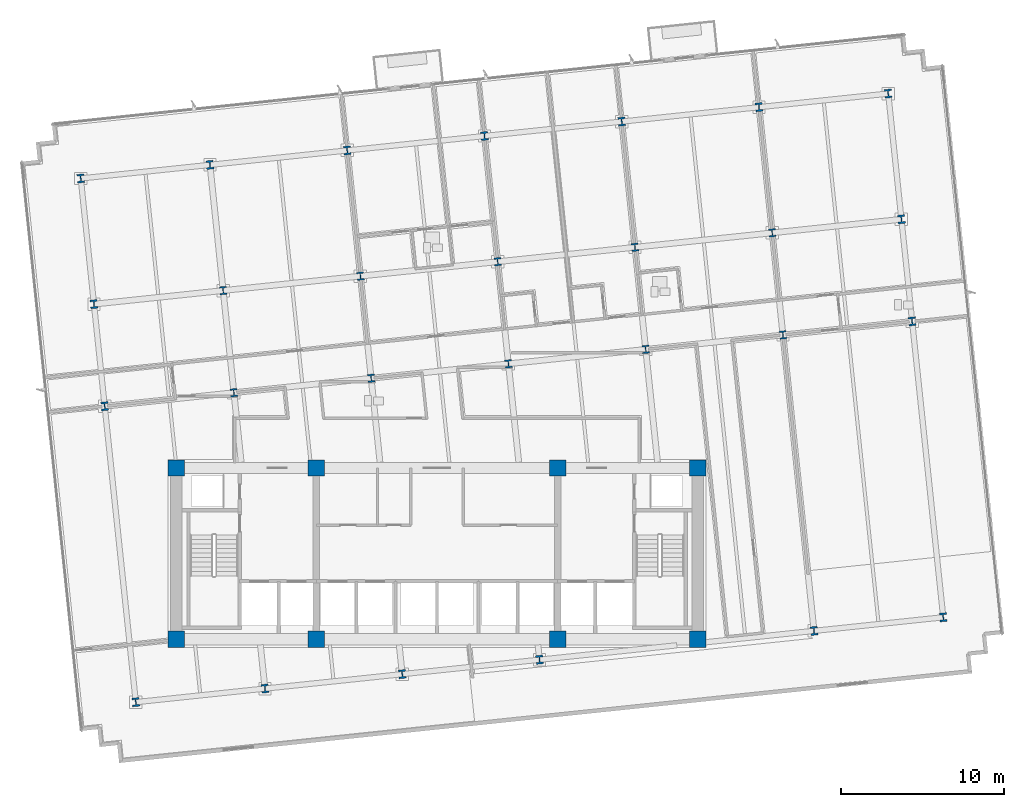
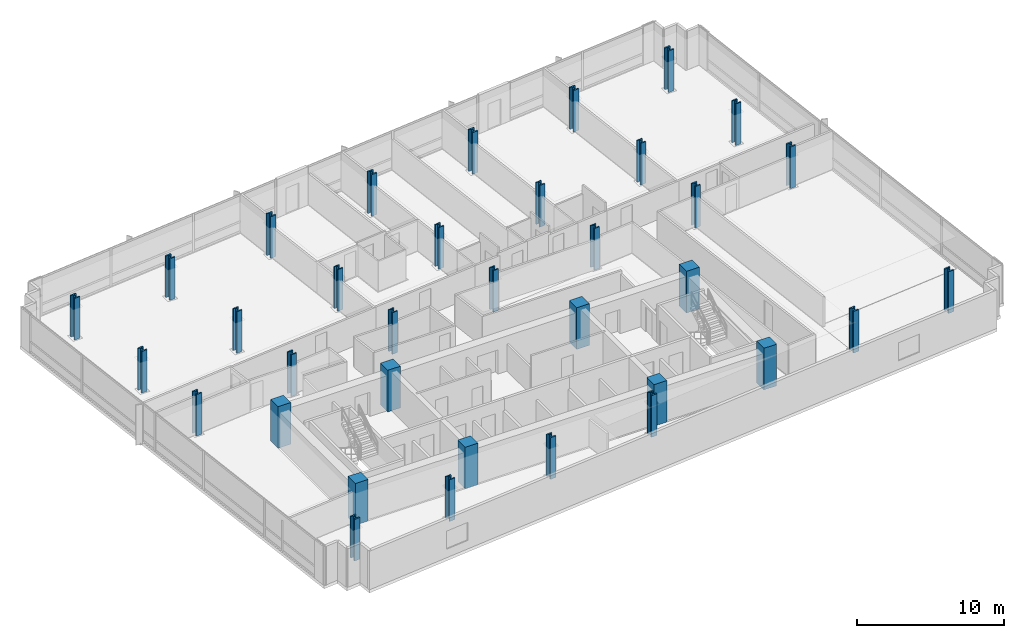
# One storey, part 1 of 17: 35 columns.
"""IFC4 building model written with IfcOpenShell, lengths in metres."""

from ifc_helpers import new_model, si_unit, direction, frame, origin, origin_2d, place, context, subcontext, project, spatial, rectangle, i_section, extrude, material, material_profile, profile_set, type_object, element, save


model = new_model("IFC4")

# Units and contexts
model_context = context("Model", 3, precision=1e-05, world=origin(), true_north=direction((0.0, 1.0)))
body_context = subcontext(model_context, "Body", "Model", "MODEL_VIEW")
ifc_project = project(units=[si_unit("LENGTHUNIT", "METRE"), si_unit("AREAUNIT", "SQUARE_METRE"), si_unit("VOLUMEUNIT", "CUBIC_METRE"), si_unit("PLANEANGLEUNIT", "RADIAN"), si_unit("MASSUNIT", "GRAM", prefix="KILO")], contexts=[model_context])

# Site, building, storey
site_placement = place(None, origin())
site = spatial("IfcSite", under=ifc_project, at=site_placement, CompositionType="ELEMENT")
building_placement = place(site_placement, origin())
building = spatial("IfcBuilding", under=site, at=building_placement, Name="Solmavex Isthmus Hotel", CompositionType="ELEMENT")
storey_placement = place(building_placement, frame((0.0, 0.0, 90.449951171875)))
storey = spatial("IfcBuildingStorey", under=building, at=storey_placement, Name="L24", CompositionType="ELEMENT", Elevation=90.449951171875)

# Columns
ifc_material_1 = material(Name="Concrete C60/75", Category="concrete")
ifc_material_profile_1 = material_profile(ifc_material_1, rectangle(XDim=1.0, YDim=1.0, at=origin_2d()), Name="RC1000X1000")
ifc_profile_set_1 = profile_set([ifc_material_profile_1], Name="Concrete C60/75")
column_type_1 = type_object("IfcColumnType", Name="COL-CC-1000", PredefinedType="COLUMN", material=ifc_profile_set_1)
for number, where, z_axis, x_axis, name in (
    (1, (-16.0, -13.0, 0.0), (0.0, 0.0, 1.0), (1.0, 0.0, 0.0), "Core Pilaster CC-SW L24"),
    (2, (-7.39990234375, -13.0, 0.0), (0.0, 0.0, 1.0), (1.0, 0.0, 0.0), "Core Pilaster CC-S1 L24"),
    (3, (7.39990234375, -13.0, 0.0), (0.0, 0.0, 1.0), (1.0, 0.0, 0.0), "Core Pilaster CC-S2 L24"),
    (4, (16.0, -13.0, 0.0), (0.0, 0.0, 1.0), (1.0, 0.0, 0.0), "Core Pilaster CC-SE L24"),
    (5, (-16.0, -2.5, 0.0), (0.0, 0.0, 1.0), (1.0, 0.0, 0.0), "Core Pilaster CC-NW L24"),
    (6, (-7.39990234375, -2.5, 0.0), (0.0, 0.0, 1.0), (1.0, 0.0, 0.0), "Core Pilaster CC-N1 L24"),
    (7, (7.39990234375, -2.5, 0.0), (0.0, 0.0, 1.0), (1.0, 0.0, 0.0), "Core Pilaster CC-N2 L24"),
    (8, (16.0, -2.5, 0.0), (0.0, 0.0, 1.0), (1.0, 0.0, 0.0), "Core Pilaster CC-NE L24"),
):
    element("IfcColumn", number, at=place(storey_placement, frame(where, z_axis=z_axis, x_axis=x_axis)), inside=storey, type_object=column_type_1, Name=name, PredefinedType="COLUMN", context=body_context, shape_type="SweptSolid", body=[
        extrude(rectangle(XDim=1.0, YDim=1.0, at=origin_2d()), origin(), (0.0, 0.0, 1.0), 3.449951171875),
    ])
ifc_material_2 = material(Name="Steel ASTM A913 Grade 65", Category="steel")
ifc_material_profile_2 = material_profile(ifc_material_2, i_section(OverallWidth=0.43212890625, OverallDepth=0.497802734375, WebThickness=0.0556640625, FlangeThickness=0.0888671875, FilletRadius=0.030517578125, at=origin_2d()), Name="W14X500")
ifc_profile_set_2 = profile_set([ifc_material_profile_2], Name="Steel ASTM A913 Grade 65")
column_type_2 = type_object("IfcColumnType", Name="COL-SC-W14X500", PredefinedType="COLUMN", material=ifc_profile_set_2)
for number, where, z_axis, x_axis, name in (
    (9, (-12.458740234375, 2.11865234375, 0.0), (0.0, 0.0, 1.0), (0.994521895368, 0.104528463268, 0.0), "Tower Column B2-U2V2 L24"),
    (10, (-13.1171875, 8.382080078125, 0.0), (0.0, 0.0, 1.0), (0.994521895368, 0.104528463268, 0.0), "Tower Column B2-U2V3 L24"),
    (11, (-4.0390625, 3.003662109375, 0.0), (0.0, 0.0, 1.0), (0.994521895368, 0.104528463268, 0.0), "Tower Column B2-U3V2 L24"),
    (12, (-4.697509765625, 9.26708984375, 0.0), (0.0, 0.0, 1.0), (0.994521895368, 0.104528463268, 0.0), "Tower Column B2-U3V3 L24"),
    (13, (4.38037109375, 3.888427734375, 0.0), (0.0, 0.0, 1.0), (0.994521895368, 0.104528463268, 0.0), "Tower Column B2-U4V2 L24"),
    (14, (3.72216796875, 10.152099609375, 0.0), (0.0, 0.0, 1.0), (0.994521895368, 0.104528463268, 0.0), "Tower Column B2-U4V3 L24"),
    (15, (12.800048828125, 4.7734375, 0.0), (0.0, 0.0, 1.0), (0.994521895368, 0.104528463268, 0.0), "Tower Column B2-U5V2 L24"),
    (16, (12.141845703125, 11.036865234375, 0.0), (0.0, 0.0, 1.0), (0.994521895368, 0.104528463268, 0.0), "Tower Column B2-U5V3 L24"),
    (17, (21.2197265625, 5.658447265625, 0.0), (0.0, 0.0, 1.0), (0.994521895368, 0.104528463268, 0.0), "Tower Column B2-U6V2 L24"),
    (18, (20.5615234375, 11.921875, 0.0), (0.0, 0.0, 1.0), (0.994521895368, 0.104528463268, 0.0), "Tower Column B2-U6V3 L24"),
):
    element("IfcColumn", number, at=place(storey_placement, frame(where, z_axis=z_axis, x_axis=x_axis)), inside=storey, type_object=column_type_2, Name=name, PredefinedType="COLUMN", context=body_context, shape_type="SweptSolid", body=[
        extrude(i_section(OverallWidth=0.43212890625, OverallDepth=0.497802734375, WebThickness=0.0556640625, FlangeThickness=0.0888671875, FilletRadius=0.030517578125, at=origin_2d()), origin(), (0.0, 0.0, 1.0), 3.449951171875),
    ])
ifc_material_profile_3 = material_profile(ifc_material_2, i_section(OverallWidth=0.442138671875, OverallDepth=0.531494140625, WebThickness=0.06591796875, FlangeThickness=0.105712890625, FilletRadius=0.030517578125, at=origin_2d()), Name="W14X605")
ifc_profile_set_3 = profile_set([ifc_material_profile_3], Name="Steel ASTM A913 Grade 65")
column_type_3 = type_object("IfcColumnType", Name="COL-SC-W14X605", PredefinedType="COLUMN", material=ifc_profile_set_3)
for number, where, z_axis, x_axis, name in (
    (19, (-18.475341796875, -16.8642578125, 0.0), (0.0, 0.0, 1.0), (0.994521895368, 0.104528463268, 0.0), "Tower Column B2-U1V1 L24"),
    (20, (-20.383056640625, 1.28564453125, 0.0), (0.0, 0.0, 1.0), (0.994521895368, 0.104528463268, 0.0), "Tower Column B2-U1V2 L24"),
    (21, (-21.04150390625, 7.54931640625, 0.0), (0.0, 0.0, 1.0), (0.994521895368, 0.104528463268, 0.0), "Tower Column B2-U1V3 L24"),
    (22, (-21.851806640625, 15.2587890625, 0.0), (0.0, 0.0, 1.0), (0.994521895368, 0.104528463268, 0.0), "Tower Column B2-U1V4 L24"),
    (23, (-10.551025390625, -16.031494140625, 0.0), (0.0, 0.0, 1.0), (0.994521895368, 0.104528463268, 0.0), "Tower Column B2-U2V1 L24"),
    (24, (-13.927490234375, 16.091552734375, 0.0), (0.0, 0.0, 1.0), (0.994521895368, 0.104528463268, 0.0), "Tower Column B2-U2V4 L24"),
    (25, (-2.131591796875, -15.146484375, 0.0), (0.0, 0.0, 1.0), (0.994521895368, 0.104528463268, 0.0), "Tower Column B2-U3V1 L24"),
    (26, (-5.5078125, 16.9765625, 0.0), (0.0, 0.0, 1.0), (0.994521895368, 0.104528463268, 0.0), "Tower Column B2-U3V4 L24"),
    (27, (6.2880859375, -14.261474609375, 0.0), (0.0, 0.0, 1.0), (0.994521895368, 0.104528463268, 0.0), "Tower Column B2-U4V1 L24"),
    (28, (2.911865234375, 17.861572265625, 0.0), (0.0, 0.0, 1.0), (0.994521895368, 0.104528463268, 0.0), "Tower Column B2-U4V4 L24"),
    (29, (11.33154296875, 18.74658203125, 0.0), (0.0, 0.0, 1.0), (0.994521895368, 0.104528463268, 0.0), "Tower Column B2-U5V4 L24"),
    (30, (23.12744140625, -12.49169921875, 0.0), (0.0, 0.0, 1.0), (0.994521895368, 0.104528463268, 0.0), "Tower Column B2-U6V1 L24"),
    (31, (19.751220703125, 19.63134765625, 0.0), (0.0, 0.0, 1.0), (0.994521895368, 0.104528463268, 0.0), "Tower Column B2-U6V4 L24"),
    (32, (31.0517578125, -11.65869140625, 0.0), (0.0, 0.0, 1.0), (0.994521895368, 0.104528463268, 0.0), "Tower Column B2-U7V1 L24"),
    (33, (29.14404296875, 6.4912109375, 0.0), (0.0, 0.0, 1.0), (0.994521895368, 0.104528463268, 0.0), "Tower Column B2-U7V2 L24"),
    (34, (28.48583984375, 12.754638671875, 0.0), (0.0, 0.0, 1.0), (0.994521895368, 0.104528463268, 0.0), "Tower Column B2-U7V3 L24"),
    (35, (27.675537109375, 20.46435546875, 0.0), (0.0, 0.0, 1.0), (0.994521895368, 0.104528463268, 0.0), "Tower Column B2-U7V4 L24"),
):
    element("IfcColumn", number, at=place(storey_placement, frame(where, z_axis=z_axis, x_axis=x_axis)), inside=storey, type_object=column_type_3, Name=name, PredefinedType="COLUMN", context=body_context, shape_type="SweptSolid", body=[
        extrude(i_section(OverallWidth=0.442138671875, OverallDepth=0.531494140625, WebThickness=0.06591796875, FlangeThickness=0.105712890625, FilletRadius=0.030517578125, at=origin_2d()), origin(), (0.0, 0.0, 1.0), 3.449951171875),
    ])

save(model, "model.ifc")
